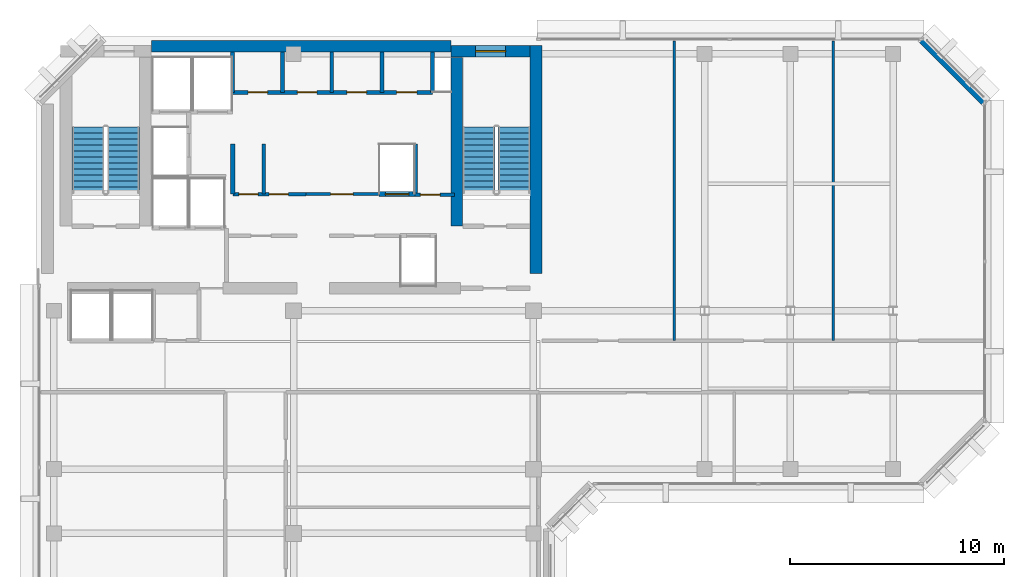
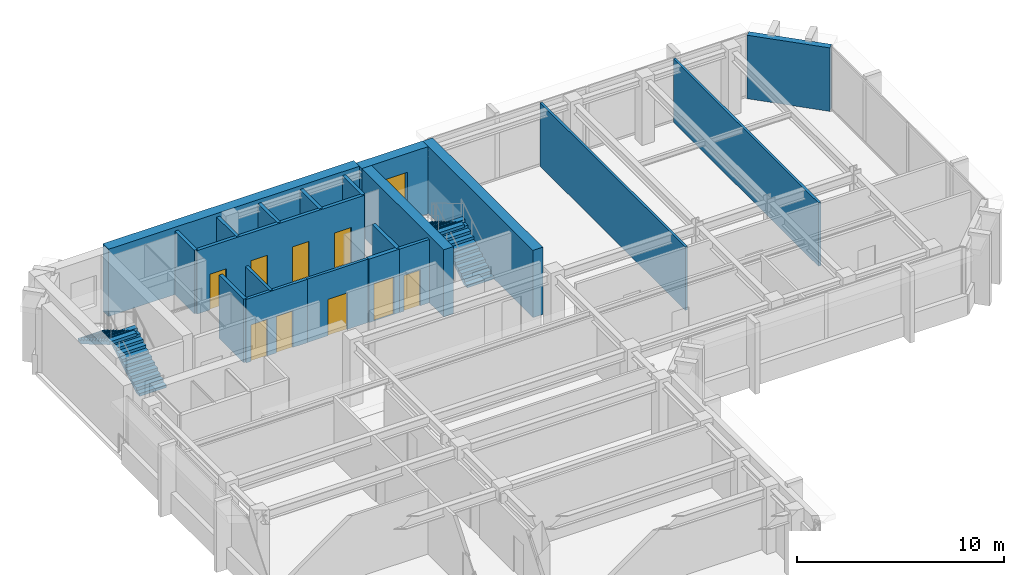
# One storey, part 8 of 11: 20 walls, 9 doors, 4 stair flights, 1 window, 10 openings, 2 elements without a shape of their own.
"""IFC4 building model written with IfcOpenShell, lengths in metres."""

import ifcopenshell
import ifcopenshell.guid

model = None  # the IFC model being written
_history = None  # IfcOwnerHistory: only IFC2X3 demands one
_inside = {}  # id of a spatial element -> (the spatial element, [elements in it])
_under = {}  # id of a project, library or spatial element -> (it, [spatial elements below it])
_declared = {}  # id of a project -> (the project, [libraries it declares])
_typed = {}  # id of a type object -> (the type object, [elements of that type])
_made_of = {}  # id of a material, layer set ... -> (it, [elements and type objects made of it])


def new_model(schema):
    """Start an empty IFC model of exactly this schema.

    Asked for "IFC4X3", IfcOpenShell would pick the latest addendum, in which some entities
    have other attributes; the version numbers below select the first issue.
    IFC2X3 requires an IfcOwnerHistory on every rooted entity: one is made here for all.
    """
    global model, _history
    if schema == "IFC4X3":
        model = ifcopenshell.file(schema_version=(4, 3, 0, 0))
    else:
        model = ifcopenshell.file(schema=schema)
    _inside.clear()
    _under.clear()
    _declared.clear()
    _typed.clear()
    _made_of.clear()
    _history = None
    if model.schema == "IFC2X3":
        org = make("IfcOrganization", Name="unknown")
        user = make(
            "IfcPersonAndOrganization",
            ThePerson=make("IfcPerson", FamilyName="unknown"),
            TheOrganization=org,
        )
        app = make(
            "IfcApplication",
            ApplicationDeveloper=org,
            Version="unknown",
            ApplicationFullName="unknown",
            ApplicationIdentifier="unknown",
        )
        _history = make(
            "IfcOwnerHistory",
            OwningUser=user,
            OwningApplication=app,
            ChangeAction="ADDED",
            CreationDate=0,
        )
    return model


def make(cls, **values):
    """One entity of the class cls with the attributes given. An attribute that is None is left unset."""
    return model.create_entity(
        cls, **{name: value for name, value in values.items() if value is not None}
    )


def rooted(cls, **values):
    """An entity with a GlobalId (a new one), such as an element, a storey or a relation."""
    return make(cls, GlobalId=ifcopenshell.guid.new(), OwnerHistory=_history, **values)


def si_unit(unit_type, name, prefix=None):
    """IfcSIUnit, for example si_unit("LENGTHUNIT", "METRE", prefix="MILLI")."""
    return make("IfcSIUnit", UnitType=unit_type, Prefix=prefix, Name=name)


def assignment(units):
    """IfcUnitAssignment: the units of a project."""
    return None if units is None else make("IfcUnitAssignment", Units=units)


def point(xyz):
    """IfcCartesianPoint."""
    return None if xyz is None else make("IfcCartesianPoint", Coordinates=xyz)


def direction(xyz):
    """IfcDirection."""
    return None if xyz is None else make("IfcDirection", DirectionRatios=xyz)


def frame(location, z_axis=None, x_axis=None):
    """IfcAxis2Placement3D, a coordinate frame: its origin and axes. An axis left out is left unset."""
    return make(
        "IfcAxis2Placement3D",
        Location=point(location),
        Axis=direction(z_axis),
        RefDirection=direction(x_axis),
    )


def frame_2d(location, x_axis=None):
    """IfcAxis2Placement2D, a coordinate frame in the plane: its origin and x axis."""
    return make(
        "IfcAxis2Placement2D", Location=point(location), RefDirection=direction(x_axis)
    )


def origin():
    """The frame at (0, 0, 0) with its axes left unset."""
    return frame((0.0, 0.0, 0.0))


def place(relative_to, where):
    """IfcLocalPlacement: puts the frame where relative to a parent placement (None: the world)."""
    return make(
        "IfcLocalPlacement", PlacementRelTo=relative_to, RelativePlacement=where
    )


def context(
    kind, dimensions, precision=None, world=None, true_north=None, identifier=None
):
    """IfcGeometricRepresentationContext, for example the 3D "Model" context."""
    return make(
        "IfcGeometricRepresentationContext",
        ContextIdentifier=identifier,
        ContextType=kind,
        CoordinateSpaceDimension=dimensions,
        Precision=precision,
        WorldCoordinateSystem=world,
        TrueNorth=true_north,
    )


def subcontext(parent, identifier, kind, view, scale=None):
    """IfcGeometricRepresentationSubContext, for example "Body" below "Model"."""
    return make(
        "IfcGeometricRepresentationSubContext",
        ContextIdentifier=identifier,
        ContextType=kind,
        ParentContext=parent,
        TargetScale=scale,
        TargetView=view,
    )


def project(units=None, contexts=None):
    """IfcProject with its units and contexts."""
    return rooted(
        "IfcProject",
        Name="project",
        RepresentationContexts=contexts,
        UnitsInContext=assignment(units),
    )


def spatial(cls, under=None, at=None, **own):
    """A site, building, storey or space (cls), placed at a placement, below another one or the project."""
    s = rooted(cls, ObjectPlacement=at, **own)
    if under is not None:
        _under.setdefault(under.id(), (under, []))[1].append(s)
    return s


def polyline(points):
    """IfcPolyline through the points."""
    return make("IfcPolyline", Points=[point(p) for p in points])


def profile(cls, at=None, kind="AREA", **sizes):
    """A parametric profile (cls). Its sizes go by their IFC names, for example OverallWidth=200.0."""
    return make(cls, ProfileType=kind, Position=at, **sizes)


def rectangle(**sizes):
    """IfcRectangleProfileDef."""
    return profile("IfcRectangleProfileDef", **sizes)


def outline(outer, holes=None, kind="AREA"):
    """IfcArbitraryClosedProfileDef: a profile drawn as a closed curve; with holes, ...WithVoids."""
    if holes is None:
        return make("IfcArbitraryClosedProfileDef", ProfileType=kind, OuterCurve=outer)
    return make(
        "IfcArbitraryProfileDefWithVoids",
        ProfileType=kind,
        OuterCurve=outer,
        InnerCurves=holes,
    )


def extrude(swept, where, along, depth):
    """IfcExtrudedAreaSolid: the profile swept, set in the frame where, extruded along a direction by depth."""
    return make(
        "IfcExtrudedAreaSolid",
        SweptArea=swept,
        Position=where,
        ExtrudedDirection=direction(along),
        Depth=depth,
    )


def shape(context_of_items, identifier, shape_type, items):
    """IfcShapeRepresentation: the items that make up one representation, for example the "Body"."""
    return make(
        "IfcShapeRepresentation",
        ContextOfItems=context_of_items,
        RepresentationIdentifier=identifier,
        RepresentationType=shape_type,
        Items=items,
    )


def material(Name=None, Category=None):
    """IfcMaterial."""
    return make("IfcMaterial", Name=Name, Category=Category)


def layer(
    of_material, thickness, ventilated=None, Name=None, Category=None, Priority=None
):
    """IfcMaterialLayer: one layer of a wall or slab, of a material (None: an air gap)."""
    return make(
        "IfcMaterialLayer",
        Material=of_material,
        LayerThickness=thickness,
        IsVentilated=ventilated,
        Name=Name,
        Category=Category,
        Priority=Priority,
    )


def layer_set(layers, Name=None):
    """IfcMaterialLayerSet."""
    return make("IfcMaterialLayerSet", MaterialLayers=layers, LayerSetName=Name)


def made_of(thing, what):
    """Note that an element or type object is made of a material, layer set ...; save() writes the relation."""
    if what is not None:
        _made_of.setdefault(what.id(), (what, []))[1].append(thing)
    return thing


def type_object(cls, material=None, **own):
    """A type object (cls), such as IfcWallType, which elements share."""
    return made_of(rooted(cls, **own), material)


def element(
    cls,
    number,
    at=None,
    inside=None,
    cuts=None,
    type_object=None,
    material=None,
    context=None,
    identifier="Body",
    shape_type=None,
    held_by="IfcProductDefinitionShape",
    body=None,
    shapes=None,
    **own,
):
    """One element of the class cls, such as IfcWall. Its Tag is "e" and its number.

    at: its placement. inside: the storey or other place that contains it. cuts: it is an
    opening in that element (IfcRelVoidsElement). A single representation is given by context,
    identifier, shape_type and body (its items); several are given by shapes. held_by: the class
    of the entity that holds the representations. save() writes the other relations.
    """
    e = rooted(cls, Tag="e%d" % number, ObjectPlacement=at, **own)
    if body is not None:
        shapes = [shape(context, identifier, shape_type, body)]
    if shapes is not None:
        e.Representation = make(held_by, Representations=shapes)
    if inside is not None:
        _inside.setdefault(inside.id(), (inside, []))[1].append(e)
    if cuts is not None:
        rooted(
            "IfcRelVoidsElement", RelatingBuildingElement=cuts, RelatedOpeningElement=e
        )
    if type_object is not None:
        _typed.setdefault(type_object.id(), (type_object, []))[1].append(e)
    return made_of(e, material)


def fill(opening, filler):
    """IfcRelFillsElement: the door or window that sits in an opening."""
    return rooted(
        "IfcRelFillsElement",
        RelatingOpeningElement=opening,
        RelatedBuildingElement=filler,
    )


def aggregate(whole, parts):
    """IfcRelAggregates: a whole, such as a stair, and the parts it consists of."""
    return rooted("IfcRelAggregates", RelatingObject=whole, RelatedObjects=parts)


def save(model, path):
    """Write the relations noted so far, then the file.

    IfcRelAggregates (storeys below a building ...), IfcRelContainedInSpatialStructure (elements
    in a storey), IfcRelDefinesByType, IfcRelAssociatesMaterial and IfcRelDeclares: one each for
    every whole, place, type object, material and project.
    """
    for whole, parts in _under.values():
        aggregate(whole, parts)
    for where, things in _inside.values():
        rooted(
            "IfcRelContainedInSpatialStructure",
            RelatedElements=things,
            RelatingStructure=where,
        )
    for kind, things in _typed.values():
        rooted("IfcRelDefinesByType", RelatedObjects=things, RelatingType=kind)
    for what, things in _made_of.values():
        rooted("IfcRelAssociatesMaterial", RelatedObjects=things, RelatingMaterial=what)
    for by, libraries in _declared.values():
        rooted("IfcRelDeclares", RelatingContext=by, RelatedDefinitions=libraries)
    model.write(path)


model = new_model("IFC4")

# Units and contexts
model_context = context("Model", 3, precision=1e-05, world=origin(), true_north=direction((0.0, 1.0)))
body_context = subcontext(model_context, "Body", "Model", "MODEL_VIEW")
ifc_project = project(units=[si_unit("LENGTHUNIT", "METRE"), si_unit("AREAUNIT", "SQUARE_METRE"), si_unit("VOLUMEUNIT", "CUBIC_METRE"), si_unit("PLANEANGLEUNIT", "RADIAN"), si_unit("MASSUNIT", "GRAM", prefix="KILO")], contexts=[model_context])

# Site, building, storey
site_placement = place(None, origin())
site = spatial("IfcSite", under=ifc_project, at=site_placement, CompositionType="ELEMENT")
building_placement = place(site_placement, origin())
building = spatial("IfcBuilding", under=site, at=building_placement, Name="Kefirva Bronze Tower", CompositionType="ELEMENT")
storey_placement = place(building_placement, frame((0.0, 0.0, 303.929931640625)))
storey = spatial("IfcBuildingStorey", under=building, at=storey_placement, Name="L74", CompositionType="ELEMENT", Elevation=303.929931640625)

# Walls
ifc_material_1 = material(Name="Gypsum acoustic partition")
ifc_layer_1 = layer(ifc_material_1, 0.1298828125, Name="Gypsum acoustic partition")
ifc_layer_set_1 = layer_set([ifc_layer_1], Name="Gypsum acoustic partition")
wall_type_1 = type_object("IfcWallType", Name="Acoustic Office Partition 130mm", PredefinedType="PARTITIONING", material=ifc_layer_set_1)
for number, where, z_axis, x_axis, name in (
    (1, (29.782958984375, 31.800048828125, 0.0), (0.0, 0.0, 1.0), (0.0, 1.0, 0.0), "L74 Partition W-L74-END1"),
    (2, (37.20263671875, 31.800048828125, 0.0), (0.0, 0.0, 1.0), (0.0, 1.0, 0.0), "L74 Partition W-L74-END2"),
):
    element("IfcWall", number, at=place(storey_placement, frame(where, z_axis=z_axis, x_axis=x_axis)), inside=storey, type_object=wall_type_1, Name=name, PredefinedType="PARTITIONING", context=body_context, shape_type="SweptSolid", body=[
        extrude(rectangle(XDim=14.010009765625, YDim=0.1298828125, at=frame_2d((7.0048828125, 0.0))), origin(), (0.0, 0.0, 1.0), 3.739990234375),
    ])

# Wall, opening, door
ifc_layer_2 = layer(ifc_material_1, 0.14990234375, Name="Gypsum acoustic partition")
ifc_layer_set_2 = layer_set([ifc_layer_2], Name="Gypsum acoustic partition")
wall_type_2 = type_object("IfcWallType", Name="Executive Suite Partition 150mm", PredefinedType="PARTITIONING", material=ifc_layer_set_2)
wall_1_placement = place(storey_placement, frame((12.580078125, 38.64990234375, 0.0), z_axis=(0.0, 0.0, 1.0), x_axis=(1.0, 0.0, 0.0)))
wall_1 = element("IfcWall", 3, at=wall_1_placement, inside=storey, type_object=wall_type_2, Name="L74 Partition W-L74-RECMP2", PredefinedType="PARTITIONING", context=body_context, shape_type="SweptSolid", body=[
    extrude(rectangle(XDim=3.3798828125, YDim=0.14990234375, at=frame_2d((1.68994140625, 0.0))), origin(), (0.0, 0.0, 1.0), 3.739990234375),
])
opening_1_placement = place(wall_1_placement, frame((2.199951171875, 0.0, 0.0), z_axis=(0.0, 0.0, 1.0), x_axis=(-1.0, 0.0, 0.0)))
opening_1 = element("IfcOpeningElement", 4, at=opening_1_placement, cuts=wall_1, Name="Opening L74-D-RECMP2", PredefinedType="OPENING", context=body_context, shape_type="SweptSolid", body=[
    extrude(rectangle(XDim=1.050048828125, YDim=2.14990234375, at=frame_2d((0.52490234375, 1.074951171875))), frame((0.0, 0.0849609375, 0.0), z_axis=(0.0, -1.0, 0.0), x_axis=(1.0, 0.0, 0.0)), (0.0, 0.0, 1.0), 0.169921875),
])
ifc_material_2 = material(Name="Acoustic hardwood oak", Category="wood")
door_type_1 = type_object("IfcDoorType", Name="Executive & Boardroom Door 1050x2150", OperationType="NOTDEFINED", PredefinedType="DOOR", material=ifc_material_2)
door_1_placement = place(opening_1_placement, origin())
door_1 = element("IfcDoor", 5, at=door_1_placement, inside=storey, type_object=door_type_1, Name="Door L74-D-RECMP2", OperationType="SINGLE_SWING_RIGHT", OverallHeight=2.14990234375, OverallWidth=1.050048828125, PredefinedType="DOOR", context=body_context, shape_type="SweptSolid", body=[
    extrude(rectangle(XDim=1.050048828125, YDim=2.14990234375, at=frame_2d((0.52490234375, 1.074951171875))), frame((0.0, 0.02490234375, 0.0), z_axis=(0.0, -1.0, 0.0), x_axis=(1.0, 0.0, 0.0)), (0.0, 0.0, 1.0), 0.050048828125),
])
fill(opening_1, door_1)

# Walls
ifc_material_3 = material(Name="Gypsum fireboard shaftwall")
ifc_layer_3 = layer(ifc_material_3, 0.219970703125, Name="Gypsum fireboard shaftwall")
ifc_layer_set_3 = layer_set([ifc_layer_3], Name="Gypsum fireboard shaftwall")
wall_type_3 = type_object("IfcWallType", Name="Fire-Rated Shaft Enclosure Wall 220mm", PredefinedType="PARTITIONING", material=ifc_layer_set_3)
for number, where, z_axis, x_axis, name in (
    (6, (9.159912109375, 38.64990234375, 0.0), (0.0, 0.0, 1.0), (0.0, 1.0, 0.0), "L74 Partition W-L74-LP3W"),
    (7, (17.679931640625, 38.64990234375, 0.0), (0.0, 0.0, 1.0), (0.0, 1.0, 0.0), "L74 Partition W-L74-HP2E"),
):
    element("IfcWall", number, at=place(storey_placement, frame(where, z_axis=z_axis, x_axis=x_axis)), inside=storey, type_object=wall_type_3, Name=name, PredefinedType="PARTITIONING", context=body_context, shape_type="SweptSolid", body=[
        extrude(rectangle(XDim=2.35009765625, YDim=0.199951171875, at=frame_2d((1.175048828125, 0.0))), origin(), (0.0, 0.0, 1.0), 3.739990234375),
    ])

# Wall, opening, door
wall_2_placement = place(storey_placement, frame((15.97998046875, 38.64990234375, 0.0), z_axis=(0.0, 0.0, 1.0), x_axis=(1.0, 0.0, 0.0)))
wall_2 = element("IfcWall", 8, at=wall_2_placement, inside=storey, type_object=wall_type_3, Name="L74 Partition W-L74-HPN", PredefinedType="PARTITIONING", context=body_context, shape_type="SweptSolid", body=[
    extrude(rectangle(XDim=1.719970703125, YDim=0.219970703125, at=frame_2d((0.85986328125, 0.0))), origin(), (0.0, 0.0, 1.0), 3.739990234375),
])
opening_2_placement = place(wall_2_placement, frame((0.300048828125, 0.0, 0.0)))
opening_2 = element("IfcOpeningElement", 9, at=opening_2_placement, cuts=wall_2, Name="Opening L74-LD-HP2", PredefinedType="OPENING", context=body_context, shape_type="SweptSolid", body=[
    extrude(rectangle(XDim=1.10009765625, YDim=2.199951171875, at=frame_2d((0.550048828125, 1.10009765625))), frame((0.0, 0.1201171875, 0.0), z_axis=(0.0, -1.0, 0.0), x_axis=(1.0, 0.0, 0.0)), (0.0, 0.0, 1.0), 0.239990234375),
])
ifc_material_4 = material(Name="Stainless steel 316", Category="steel")
door_type_2 = type_object("IfcDoorType", Name="Passenger Lift Sliding Landing Door 1100x2200", OperationType="SLIDING_TO_LEFT", PredefinedType="DOOR", material=ifc_material_4)
door_2_placement = place(opening_2_placement, origin())
door_2 = element("IfcDoor", 10, at=door_2_placement, inside=storey, type_object=door_type_2, Name="Door L74-LD-HP2", OperationType="SLIDING_TO_LEFT", OverallHeight=2.199951171875, OverallWidth=1.10009765625, PredefinedType="DOOR", context=body_context, shape_type="SweptSolid", body=[
    extrude(rectangle(XDim=1.10009765625, YDim=2.199951171875, at=frame_2d((0.550048828125, 1.10009765625))), frame((0.0, 0.02490234375, 0.0), z_axis=(0.0, -1.0, 0.0), x_axis=(1.0, 0.0, 0.0)), (0.0, 0.0, 1.0), 0.050048828125),
])
fill(opening_2, door_2)

ifc_material_5 = material(Name="Gypsum fireboard barrier")
ifc_layer_4 = layer(ifc_material_5, 0.199951171875, Name="Gypsum fireboard barrier")
ifc_layer_set_4 = layer_set([ifc_layer_4], Name="Gypsum fireboard barrier")
wall_type_4 = type_object("IfcWallType", Name="Firefighting Lobby Barrier Wall 200mm", PredefinedType="PARTITIONING", material=ifc_layer_set_4)
wall_3_placement = place(storey_placement, frame((17.679931640625, 38.6201171875, 0.0), z_axis=(0.0, 0.0, 1.0), x_axis=(1.0, 0.0, 0.0)))
wall_3 = element("IfcWall", 11, at=wall_3_placement, inside=storey, type_object=wall_type_4, Name="L74 Partition W-L74-CPASS", PredefinedType="PARTITIONING", context=body_context, shape_type="SweptSolid", body=[
    extrude(rectangle(XDim=1.840087890625, YDim=0.179931640625, at=frame_2d((0.919921875, 0.0))), origin(), (0.0, 0.0, 1.0), 3.739990234375),
])
opening_3_placement = place(wall_3_placement, frame((0.239990234375, 0.0, 0.0)))
opening_3 = element("IfcOpeningElement", 12, at=opening_3_placement, cuts=wall_3, Name="Opening L74-D-CPAS", PredefinedType="OPENING", context=body_context, shape_type="SweptSolid", body=[
    extrude(rectangle(XDim=0.919921875, YDim=2.10009765625, at=frame_2d((0.4599609375, 1.050048828125))), frame((0.0, 0.10009765625, 0.0), z_axis=(0.0, -1.0, 0.0), x_axis=(1.0, 0.0, 0.0)), (0.0, 0.0, 1.0), 0.199951171875),
])
ifc_material_6 = material(Name="Moisture-resistant timber", Category="wood")
door_type_3 = type_object("IfcDoorType", Name="Accessible Sanitary & WC Door 920x2100", OperationType="NOTDEFINED", PredefinedType="DOOR", material=ifc_material_6)
door_3_placement = place(opening_3_placement, origin())
door_3 = element("IfcDoor", 13, at=door_3_placement, inside=storey, type_object=door_type_3, Name="Door L74-D-CPAS", OperationType="SINGLE_SWING_RIGHT", OverallHeight=2.10009765625, OverallWidth=0.919921875, PredefinedType="DOOR", context=body_context, shape_type="SweptSolid", body=[
    extrude(rectangle(XDim=0.919921875, YDim=2.10009765625, at=frame_2d((0.4599609375, 1.050048828125))), frame((0.0, 0.02490234375, 0.0), z_axis=(0.0, -1.0, 0.0), x_axis=(1.0, 0.0, 0.0)), (0.0, 0.0, 1.0), 0.050048828125),
])
fill(opening_3, door_3)

# Wall
ifc_material_7 = material(Name="Precast concrete C40/50", Category="concrete")
ifc_layer_5 = layer(ifc_material_7, 0.320068359375, Name="Precast concrete C40/50")
ifc_layer_set_5 = layer_set([ifc_layer_5], Name="Precast concrete C40/50")
wall_type_5 = type_object("IfcWallType", Name="Precast Insulated Exterior Wall 320mm", PredefinedType="SOLIDWALL", material=ifc_layer_set_5)
wall_4_placement = place(storey_placement, frame((44.248046875, 42.92578125, 0.0), z_axis=(0.0, 0.0, 1.0), x_axis=(-0.707136318428, 0.707077242712, 0.0)))
element("IfcWall", 14, at=wall_4_placement, inside=storey, type_object=wall_type_5, Name="L74 Exterior Facade Wall 5", PredefinedType="SOLIDWALL", context=body_context, shape_type="SweptSolid", body=[
    extrude(rectangle(XDim=4.132568359375, YDim=0.320068359375, at=frame_2d((2.06640625, 0.0))), origin(), (0.0, 0.0, 1.0), 3.739990234375),
])

# Wall, openings, doors
ifc_layer_6 = layer(ifc_material_1, 0.159912109375, Name="Gypsum acoustic partition")
ifc_layer_set_6 = layer_set([ifc_layer_6], Name="Gypsum acoustic partition")
wall_type_6 = type_object("IfcWallType", Name="Protected Corridor Partition 160mm", PredefinedType="PARTITIONING", material=ifc_layer_set_6)
wall_5_placement = place(storey_placement, frame((9.159912109375, 38.64990234375, 0.0), z_axis=(0.0, 0.0, 1.0), x_axis=(1.0, 0.0, 0.0)))
wall_5 = element("IfcWall", 15, at=wall_5_placement, inside=storey, type_object=wall_type_6, Name="L74 Partition W-L74-RECLP2", PredefinedType="PARTITIONING", context=body_context, shape_type="SweptSolid", body=[
    extrude(rectangle(XDim=3.420166015625, YDim=0.159912109375, at=frame_2d((1.7099609375, 0.0))), origin(), (0.0, 0.0, 1.0), 3.739990234375),
])
opening_4_placement = place(wall_5_placement, frame((1.179931640625, 0.0, 0.0), z_axis=(0.0, 0.0, 1.0), x_axis=(-1.0, 0.0, 0.0)))
opening_4 = element("IfcOpeningElement", 16, at=opening_4_placement, cuts=wall_5, Name="Opening L74-D-RECLP2A", PredefinedType="OPENING", context=body_context, shape_type="SweptSolid", body=[
    extrude(rectangle(XDim=0.89990234375, YDim=2.14990234375, at=frame_2d((0.449951171875, 1.074951171875))), frame((0.0, 0.08984375, 0.0), z_axis=(0.0, -1.0, 0.0), x_axis=(1.0, 0.0, 0.0)), (0.0, 0.0, 1.0), 0.179931640625),
])
opening_5_placement = place(wall_5_placement, frame((2.599853515625, 0.0, 0.0), z_axis=(0.0, 0.0, 1.0), x_axis=(-1.0, 0.0, 0.0)))
opening_5 = element("IfcOpeningElement", 17, at=opening_5_placement, cuts=wall_5, Name="Opening L74-D-RECLP2B", PredefinedType="OPENING", context=body_context, shape_type="SweptSolid", body=[
    extrude(rectangle(XDim=0.89990234375, YDim=2.14990234375, at=frame_2d((0.449951171875, 1.074951171875))), frame((0.0, 0.08984375, 0.0), z_axis=(0.0, -1.0, 0.0), x_axis=(1.0, 0.0, 0.0)), (0.0, 0.0, 1.0), 0.179931640625),
])
ifc_material_8 = material(Name="Painted galvanized steel", Category="steel")
door_type_4 = type_object("IfcDoorType", Name="Core Archive & Server Fire Door 900x2150 FD60S", OperationType="NOTDEFINED", PredefinedType="DOOR", material=ifc_material_8)
door_4_placement = place(opening_4_placement, origin())
door_4 = element("IfcDoor", 18, at=door_4_placement, inside=storey, type_object=door_type_4, Name="Door L74-D-RECLP2A", OperationType="SINGLE_SWING_LEFT", OverallHeight=2.14990234375, OverallWidth=0.89990234375, PredefinedType="DOOR", context=body_context, shape_type="SweptSolid", body=[
    extrude(rectangle(XDim=0.89990234375, YDim=2.14990234375, at=frame_2d((0.449951171875, 1.074951171875))), frame((0.0, 0.02490234375, 0.0), z_axis=(0.0, -1.0, 0.0), x_axis=(1.0, 0.0, 0.0)), (0.0, 0.0, 1.0), 0.050048828125),
])
fill(opening_4, door_4)
door_5_placement = place(opening_5_placement, origin())
door_5 = element("IfcDoor", 19, at=door_5_placement, inside=storey, type_object=door_type_4, Name="Door L74-D-RECLP2B", OperationType="SINGLE_SWING_RIGHT", OverallHeight=2.14990234375, OverallWidth=0.89990234375, PredefinedType="DOOR", context=body_context, shape_type="SweptSolid", body=[
    extrude(rectangle(XDim=0.89990234375, YDim=2.14990234375, at=frame_2d((0.449951171875, 1.074951171875))), frame((0.0, 0.02490234375, 0.0), z_axis=(0.0, -1.0, 0.0), x_axis=(1.0, 0.0, 0.0)), (0.0, 0.0, 1.0), 0.050048828125),
])
fill(opening_5, door_5)

# Walls
wall_6_placement = place(storey_placement, frame((10.60009765625, 38.64990234375, 0.0), z_axis=(0.0, 0.0, 1.0), x_axis=(0.0, 1.0, 0.0)))
element("IfcWall", 20, at=wall_6_placement, inside=storey, type_object=wall_type_6, Name="L74 Partition W-L74-RECLP2D", PredefinedType="PARTITIONING", context=body_context, shape_type="SweptSolid", body=[
    extrude(rectangle(XDim=2.35009765625, YDim=0.159912109375, at=frame_2d((1.175048828125, 0.0))), origin(), (0.0, 0.0, 1.0), 3.739990234375),
])
ifc_material_9 = material(Name="Concrete C50/60", Category="concrete")
ifc_layer_7 = layer(ifc_material_9, 0.550048828125, Name="Concrete C50/60")
ifc_layer_set_7 = layer_set([ifc_layer_7], Name="Concrete C50/60")
wall_type_7 = type_object("IfcWallType", Name="RC Rear Core Exterior Wall 550mm", PredefinedType="SHEAR", material=ifc_layer_set_7)
wall_7_placement = place(storey_placement, frame((5.360107421875, 45.550048828125, 0.0), z_axis=(0.0, 0.0, 1.0), x_axis=(1.0, 0.0, 0.0)))
element("IfcWall", 21, at=wall_7_placement, inside=storey, type_object=wall_type_7, Name="L74 Rear Core North Shear Wall", PredefinedType="SHEAR", context=body_context, shape_type="SweptSolid", body=[
    extrude(rectangle(XDim=13.97998046875, YDim=0.550048828125, at=frame_2d((6.989990234375, 0.0))), origin(), (0.0, 0.0, 1.0), 3.9599609375),
])

# Wall, opening, window
wall_8_placement = place(storey_placement, frame((19.35009765625, 45.320068359375, 0.0), z_axis=(0.0, 0.0, 1.0), x_axis=(1.0, 0.0, 0.0)))
wall_8 = element("IfcWall", 22, at=wall_8_placement, inside=storey, type_object=wall_type_7, Name="L74 Stair 2 North Shear Wall", PredefinedType="SHEAR", context=body_context, shape_type="SweptSolid", body=[
    extrude(rectangle(XDim=3.68994140625, YDim=0.550048828125, at=frame_2d((1.844970703125, 0.0))), origin(), (0.0, 0.0, 1.0), 3.9599609375),
])
opening_6_placement = place(wall_8_placement, frame((1.14990234375, 0.0, 1.050048828125)))
opening_6 = element("IfcOpeningElement", 23, at=opening_6_placement, cuts=wall_8, Name="Opening WN-03", PredefinedType="OPENING", context=body_context, shape_type="SweptSolid", body=[
    extrude(rectangle(XDim=1.39990234375, YDim=1.800048828125, at=frame_2d((0.699951171875, 0.89990234375))), frame((0.0, 0.28515625, 0.0), z_axis=(0.0, -1.0, 0.0), x_axis=(1.0, 0.0, 0.0)), (0.0, 0.0, 1.0), 0.570068359375),
])
ifc_material_10 = material(Name="Laminated low-E double glazing", Category="glass")
window_type = type_object("IfcWindowType", Name="Rear-Core Stair Daylight Window 1400x1800", PartitioningType="SINGLE_PANEL", PredefinedType="WINDOW", material=ifc_material_10)
window_placement = place(opening_6_placement, origin())
window = element("IfcWindow", 24, at=window_placement, inside=storey, type_object=window_type, Name="L74 Stair 2 Daylight Window", OverallHeight=1.800048828125, OverallWidth=1.39990234375, PartitioningType="SINGLE_PANEL", PredefinedType="WINDOW", context=body_context, shape_type="SweptSolid", body=[
    extrude(rectangle(XDim=1.39990234375, YDim=1.800048828125, at=frame_2d((0.699951171875, 0.89990234375))), frame((0.0, 0.030029296875, 0.0), z_axis=(0.0, -1.0, 0.0), x_axis=(1.0, 0.0, 0.0)), (0.0, 0.0, 1.0), 0.06005859375),
])
fill(opening_6, window)

# Walls
ifc_layer_8 = layer(ifc_material_9, 0.550048828125, Name="Concrete C50/60")
ifc_layer_set_8 = layer_set([ifc_layer_8], Name="Concrete C50/60")
wall_type_8 = type_object("IfcWallType", Name="RC Rear Core Interior Wall 550mm", PredefinedType="SHEAR", material=ifc_layer_set_8)
wall_9_placement = place(storey_placement, frame((23.324951171875, 34.949951171875, 0.0), z_axis=(0.0, 0.0, 1.0), x_axis=(0.0, 1.0, 0.0)))
element("IfcWall", 25, at=wall_9_placement, inside=storey, type_object=wall_type_8, Name="L74 Rear Core East Shear Wall", PredefinedType="SHEAR", context=body_context, shape_type="SweptSolid", body=[
    extrude(rectangle(XDim=10.64013671875, YDim=0.550048828125, at=frame_2d((5.320068359375, 0.0))), origin(), (0.0, 0.0, 1.0), 3.9599609375),
])
wall_10_placement = place(storey_placement, frame((19.6201171875, 37.14990234375, 0.0), z_axis=(0.0, 0.0, 1.0), x_axis=(0.0, 1.0, 0.0)))
element("IfcWall", 26, at=wall_10_placement, inside=storey, type_object=wall_type_8, Name="L74 Stair 2 West Shear Wall", PredefinedType="SHEAR", context=body_context, shape_type="SweptSolid", body=[
    extrude(rectangle(XDim=7.89013671875, YDim=0.550048828125, at=frame_2d((3.945068359375, 0.0))), origin(), (0.0, 0.0, 1.0), 3.9599609375),
])

# Wall, openings, doors
ifc_material_11 = material(Name="Moisture-resistant partition")
ifc_layer_9 = layer(ifc_material_11, 0.179931640625, Name="Moisture-resistant partition")
ifc_layer_set_9 = layer_set([ifc_layer_9], Name="Moisture-resistant partition")
wall_type_9 = type_object("IfcWallType", Name="Sanitary Plumbing Chase Wall 180mm", PredefinedType="PLUMBINGWALL", material=ifc_layer_set_9)
wall_11_placement = place(storey_placement, frame((9.14990234375, 43.39990234375, 0.0), z_axis=(0.0, 0.0, 1.0), x_axis=(1.0, 0.0, 0.0)))
wall_11 = element("IfcWall", 27, at=wall_11_placement, inside=storey, type_object=wall_type_9, Name="L74 Partition W-L74-SVCS", PredefinedType="PLUMBINGWALL", context=body_context, shape_type="SweptSolid", body=[
    extrude(rectangle(XDim=9.330078125, YDim=0.179931640625, at=frame_2d((4.6650390625, 0.0))), origin(), (0.0, 0.0, 1.0), 3.739990234375),
])
opening_7_placement = place(wall_11_placement, frame((0.719970703125, 0.0, 0.0)))
opening_7 = element("IfcOpeningElement", 28, at=opening_7_placement, cuts=wall_11, Name="Opening L74-D-CSVC1", PredefinedType="OPENING", context=body_context, shape_type="SweptSolid", body=[
    extrude(rectangle(XDim=0.919921875, YDim=2.10009765625, at=frame_2d((0.4599609375, 1.050048828125))), frame((0.0, 0.10009765625, 0.0), z_axis=(0.0, -1.0, 0.0), x_axis=(1.0, 0.0, 0.0)), (0.0, 0.0, 1.0), 0.199951171875),
])
opening_8_placement = place(wall_11_placement, frame((3.02001953125, 0.0, 0.0)))
opening_8 = element("IfcOpeningElement", 29, at=opening_8_placement, cuts=wall_11, Name="Opening L74-D-CSVC2", PredefinedType="OPENING", context=body_context, shape_type="SweptSolid", body=[
    extrude(rectangle(XDim=0.919921875, YDim=2.10009765625, at=frame_2d((0.4599609375, 1.050048828125))), frame((0.0, 0.10009765625, 0.0), z_axis=(0.0, -1.0, 0.0), x_axis=(1.0, 0.0, 0.0)), (0.0, 0.0, 1.0), 0.199951171875),
])
opening_9_placement = place(wall_11_placement, frame((5.340087890625, 0.0, 0.0)))
opening_9 = element("IfcOpeningElement", 30, at=opening_9_placement, cuts=wall_11, Name="Opening L74-D-CSVC3", PredefinedType="OPENING", context=body_context, shape_type="SweptSolid", body=[
    extrude(rectangle(XDim=0.919921875, YDim=2.10009765625, at=frame_2d((0.4599609375, 1.050048828125))), frame((0.0, 0.10009765625, 0.0), z_axis=(0.0, -1.0, 0.0), x_axis=(1.0, 0.0, 0.0)), (0.0, 0.0, 1.0), 0.199951171875),
])
opening_10_placement = place(wall_11_placement, frame((7.659912109375, 0.0, 0.0)))
opening_10 = element("IfcOpeningElement", 31, at=opening_10_placement, cuts=wall_11, Name="Opening L74-D-CSVC4", PredefinedType="OPENING", context=body_context, shape_type="SweptSolid", body=[
    extrude(rectangle(XDim=0.949951171875, YDim=2.10009765625, at=frame_2d((0.47509765625, 1.050048828125))), frame((0.0, 0.10009765625, 0.0), z_axis=(0.0, -1.0, 0.0), x_axis=(1.0, 0.0, 0.0)), (0.0, 0.0, 1.0), 0.199951171875),
])
door_6_placement = place(opening_7_placement, origin())
door_6 = element("IfcDoor", 32, at=door_6_placement, inside=storey, type_object=door_type_3, Name="Door L74-D-CSVC1", OperationType="SINGLE_SWING_LEFT", OverallHeight=2.10009765625, OverallWidth=0.919921875, PredefinedType="DOOR", context=body_context, shape_type="SweptSolid", body=[
    extrude(rectangle(XDim=0.919921875, YDim=2.10009765625, at=frame_2d((0.4599609375, 1.050048828125))), frame((0.0, 0.02490234375, 0.0), z_axis=(0.0, -1.0, 0.0), x_axis=(1.0, 0.0, 0.0)), (0.0, 0.0, 1.0), 0.050048828125),
])
fill(opening_7, door_6)
door_7_placement = place(opening_8_placement, origin())
door_7 = element("IfcDoor", 33, at=door_7_placement, inside=storey, type_object=door_type_3, Name="Door L74-D-CSVC2", OperationType="SINGLE_SWING_RIGHT", OverallHeight=2.10009765625, OverallWidth=0.919921875, PredefinedType="DOOR", context=body_context, shape_type="SweptSolid", body=[
    extrude(rectangle(XDim=0.919921875, YDim=2.10009765625, at=frame_2d((0.4599609375, 1.050048828125))), frame((0.0, 0.02490234375, 0.0), z_axis=(0.0, -1.0, 0.0), x_axis=(1.0, 0.0, 0.0)), (0.0, 0.0, 1.0), 0.050048828125),
])
fill(opening_8, door_7)
door_8_placement = place(opening_9_placement, origin())
door_8 = element("IfcDoor", 34, at=door_8_placement, inside=storey, type_object=door_type_3, Name="Door L74-D-CSVC3", OperationType="SINGLE_SWING_LEFT", OverallHeight=2.10009765625, OverallWidth=0.919921875, PredefinedType="DOOR", context=body_context, shape_type="SweptSolid", body=[
    extrude(rectangle(XDim=0.919921875, YDim=2.10009765625, at=frame_2d((0.4599609375, 1.050048828125))), frame((0.0, 0.02490234375, 0.0), z_axis=(0.0, -1.0, 0.0), x_axis=(1.0, 0.0, 0.0)), (0.0, 0.0, 1.0), 0.050048828125),
])
fill(opening_9, door_8)
door_type_5 = type_object("IfcDoorType", Name="Riser & Plant Shaft Fire Door 950x2100 FD60S", OperationType="NOTDEFINED", PredefinedType="DOOR", material=ifc_material_8)
door_9_placement = place(opening_10_placement, origin())
door_9 = element("IfcDoor", 35, at=door_9_placement, inside=storey, type_object=door_type_5, Name="Door L74-D-CSVC4", OperationType="SINGLE_SWING_RIGHT", OverallHeight=2.10009765625, OverallWidth=0.949951171875, PredefinedType="DOOR", context=body_context, shape_type="SweptSolid", body=[
    extrude(rectangle(XDim=0.949951171875, YDim=2.10009765625, at=frame_2d((0.47509765625, 1.050048828125))), frame((0.0, 0.02490234375, 0.0), z_axis=(0.0, -1.0, 0.0), x_axis=(1.0, 0.0, 0.0)), (0.0, 0.0, 1.0), 0.050048828125),
])
fill(opening_10, door_9)

# Walls
for number, where, z_axis, x_axis, name in (
    (36, (9.14990234375, 43.39990234375, 0.0), (0.0, 0.0, 1.0), (0.0, 1.0, 0.0), "L74 Partition W-L74-SVCW"),
    (37, (18.47998046875, 43.39990234375, 0.0), (0.0, 0.0, 1.0), (0.0, 1.0, 0.0), "L74 Partition W-L74-SVCE"),
    (38, (11.47998046875, 43.39990234375, 0.0), (0.0, 0.0, 1.0), (0.0, 1.0, 0.0), "L74 Partition W-L74-CSVD-1"),
    (39, (13.780029296875, 43.39990234375, 0.0), (0.0, 0.0, 1.0), (0.0, 1.0, 0.0), "L74 Partition W-L74-CSVD-2"),
    (40, (16.1201171875, 43.39990234375, 0.0), (0.0, 0.0, 1.0), (0.0, 1.0, 0.0), "L74 Partition W-L74-CSVD-3"),
):
    element("IfcWall", number, at=place(storey_placement, frame(where, z_axis=z_axis, x_axis=x_axis)), inside=storey, type_object=wall_type_9, Name=name, PredefinedType="PLUMBINGWALL", context=body_context, shape_type="SweptSolid", body=[
        extrude(rectangle(XDim=1.880126953125, YDim=0.179931640625, at=frame_2d((0.93994140625, 0.0))), origin(), (0.0, 0.0, 1.0), 3.739990234375),
    ])

# Stair, stair flights
ifc_material_12 = material(Name="Concrete C40/50", Category="concrete")
stair_type = type_object("IfcStairType", Name="RC Dogleg Protected Stair 24R", PredefinedType="HALF_TURN_STAIR", material=ifc_material_12)
stair_1_placement = place(storey_placement, origin())
stair_1 = element("IfcStair", 41, at=stair_1_placement, inside=storey, type_object=stair_type, Name="L74 Protected Exit Stair 1", PredefinedType="HALF_TURN_STAIR")
stair_flight_type = type_object("IfcStairFlightType", Name="RC Straight Stair Flight 24R", PredefinedType="STRAIGHT", material=ifc_material_12)
stair_flight_1_placement = place(storey_placement, frame((4.050048828125, 38.699951171875, 0.0), z_axis=(0.0, 0.0, 1.0), x_axis=(0.0, 1.0, 0.0)))
stair_flight_1 = element("IfcStairFlight", 42, at=stair_flight_1_placement, type_object=stair_flight_type, Name="ST-1 flight 1", NumberOfRisers=12, NumberOfTreads=11, PredefinedType="STRAIGHT", RiserHeight=0.165, TreadLength=0.28, context=body_context, shape_type="SweptSolid", body=[
    extrude(outline(polyline([(0.0, 0.0), (0.0, 0.1650390625), (0.280029296875, 0.1650390625), (0.280029296875, 0.330078125), (0.56005859375, 0.330078125), (0.56005859375, 0.4951171875), (0.840087890625, 0.4951171875), (0.840087890625, 0.659912109375), (1.1201171875, 0.659912109375), (1.1201171875, 0.824951171875), (1.39990234375, 0.824951171875), (1.39990234375, 0.989990234375), (1.679931640625, 0.989990234375), (1.679931640625, 1.155029296875), (1.9599609375, 1.155029296875), (1.9599609375, 1.320068359375), (2.239990234375, 1.320068359375), (2.239990234375, 1.485107421875), (2.52001953125, 1.485107421875), (2.52001953125, 1.64990234375), (2.800048828125, 1.64990234375), (2.800048828125, 1.81494140625), (3.080078125, 1.81494140625), (3.080078125, 1.97998046875), (3.080078125, 1.64111328125), (0.295166015625, 0.0), (0.0, 0.0)])), frame((0.0, 0.75, 0.0), z_axis=(0.0, -1.0, 0.0), x_axis=(1.0, 0.0, 0.0)), (0.0, 0.0, 1.0), 1.5),
])
stair_flight_2_placement = place(storey_placement, frame((2.39990234375, 41.780029296875, 1.97998046875), z_axis=(0.0, 0.0, 1.0), x_axis=(0.0, -1.0, 0.0)))
stair_flight_2 = element("IfcStairFlight", 43, at=stair_flight_2_placement, type_object=stair_flight_type, Name="ST-1 flight 2", NumberOfRisers=12, NumberOfTreads=11, PredefinedType="STRAIGHT", RiserHeight=0.165, TreadLength=0.28, context=body_context, shape_type="SweptSolid", body=[
    extrude(outline(polyline([(0.0, 0.0), (0.0, 0.1650390625), (0.280029296875, 0.1650390625), (0.280029296875, 0.330078125), (0.56005859375, 0.330078125), (0.56005859375, 0.4951171875), (0.840087890625, 0.4951171875), (0.840087890625, 0.659912109375), (1.1201171875, 0.659912109375), (1.1201171875, 0.824951171875), (1.39990234375, 0.824951171875), (1.39990234375, 0.989990234375), (1.679931640625, 0.989990234375), (1.679931640625, 1.155029296875), (1.9599609375, 1.155029296875), (1.9599609375, 1.320068359375), (2.239990234375, 1.320068359375), (2.239990234375, 1.485107421875), (2.52001953125, 1.485107421875), (2.52001953125, 1.64990234375), (2.800048828125, 1.64990234375), (2.800048828125, 1.81494140625), (3.080078125, 1.81494140625), (3.080078125, 1.97998046875), (3.080078125, 1.64111328125), (0.295166015625, 0.0), (0.0, 0.0)])), frame((0.0, 0.75, 0.0), z_axis=(0.0, -1.0, 0.0), x_axis=(1.0, 0.0, 0.0)), (0.0, 0.0, 1.0), 1.5),
])
aggregate(stair_1, [stair_flight_1, stair_flight_2])

stair_2_placement = place(storey_placement, origin())
stair_2 = element("IfcStair", 44, at=stair_2_placement, inside=storey, type_object=stair_type, Name="L74 Protected Exit Stair 2", PredefinedType="HALF_TURN_STAIR")
stair_flight_3_placement = place(storey_placement, frame((22.300048828125, 38.699951171875, 0.0), z_axis=(0.0, 0.0, 1.0), x_axis=(0.0, 1.0, 0.0)))
stair_flight_3 = element("IfcStairFlight", 45, at=stair_flight_3_placement, type_object=stair_flight_type, Name="ST-2 flight 1", NumberOfRisers=12, NumberOfTreads=11, PredefinedType="STRAIGHT", RiserHeight=0.165, TreadLength=0.28, context=body_context, shape_type="SweptSolid", body=[
    extrude(outline(polyline([(0.0, 0.0), (0.0, 0.1650390625), (0.280029296875, 0.1650390625), (0.280029296875, 0.330078125), (0.56005859375, 0.330078125), (0.56005859375, 0.4951171875), (0.840087890625, 0.4951171875), (0.840087890625, 0.659912109375), (1.1201171875, 0.659912109375), (1.1201171875, 0.824951171875), (1.39990234375, 0.824951171875), (1.39990234375, 0.989990234375), (1.679931640625, 0.989990234375), (1.679931640625, 1.155029296875), (1.9599609375, 1.155029296875), (1.9599609375, 1.320068359375), (2.239990234375, 1.320068359375), (2.239990234375, 1.485107421875), (2.52001953125, 1.485107421875), (2.52001953125, 1.64990234375), (2.800048828125, 1.64990234375), (2.800048828125, 1.81494140625), (3.080078125, 1.81494140625), (3.080078125, 1.97998046875), (3.080078125, 1.64111328125), (0.295166015625, 0.0), (0.0, 0.0)])), frame((0.0, 0.75, 0.0), z_axis=(0.0, -1.0, 0.0), x_axis=(1.0, 0.0, 0.0)), (0.0, 0.0, 1.0), 1.5),
])
stair_flight_4_placement = place(storey_placement, frame((20.64990234375, 41.780029296875, 1.97998046875), z_axis=(0.0, 0.0, 1.0), x_axis=(0.0, -1.0, 0.0)))
stair_flight_4 = element("IfcStairFlight", 46, at=stair_flight_4_placement, type_object=stair_flight_type, Name="ST-2 flight 2", NumberOfRisers=12, NumberOfTreads=11, PredefinedType="STRAIGHT", RiserHeight=0.165, TreadLength=0.28, context=body_context, shape_type="SweptSolid", body=[
    extrude(outline(polyline([(0.0, 0.0), (0.0, 0.1650390625), (0.280029296875, 0.1650390625), (0.280029296875, 0.330078125), (0.56005859375, 0.330078125), (0.56005859375, 0.4951171875), (0.840087890625, 0.4951171875), (0.840087890625, 0.659912109375), (1.1201171875, 0.659912109375), (1.1201171875, 0.824951171875), (1.39990234375, 0.824951171875), (1.39990234375, 0.989990234375), (1.679931640625, 0.989990234375), (1.679931640625, 1.155029296875), (1.9599609375, 1.155029296875), (1.9599609375, 1.320068359375), (2.239990234375, 1.320068359375), (2.239990234375, 1.485107421875), (2.52001953125, 1.485107421875), (2.52001953125, 1.64990234375), (2.800048828125, 1.64990234375), (2.800048828125, 1.81494140625), (3.080078125, 1.81494140625), (3.080078125, 1.97998046875), (3.080078125, 1.64111328125), (0.295166015625, 0.0), (0.0, 0.0)])), frame((0.0, 0.75, 0.0), z_axis=(0.0, -1.0, 0.0), x_axis=(1.0, 0.0, 0.0)), (0.0, 0.0, 1.0), 1.5),
])
aggregate(stair_2, [stair_flight_3, stair_flight_4])

save(model, "model.ifc")
